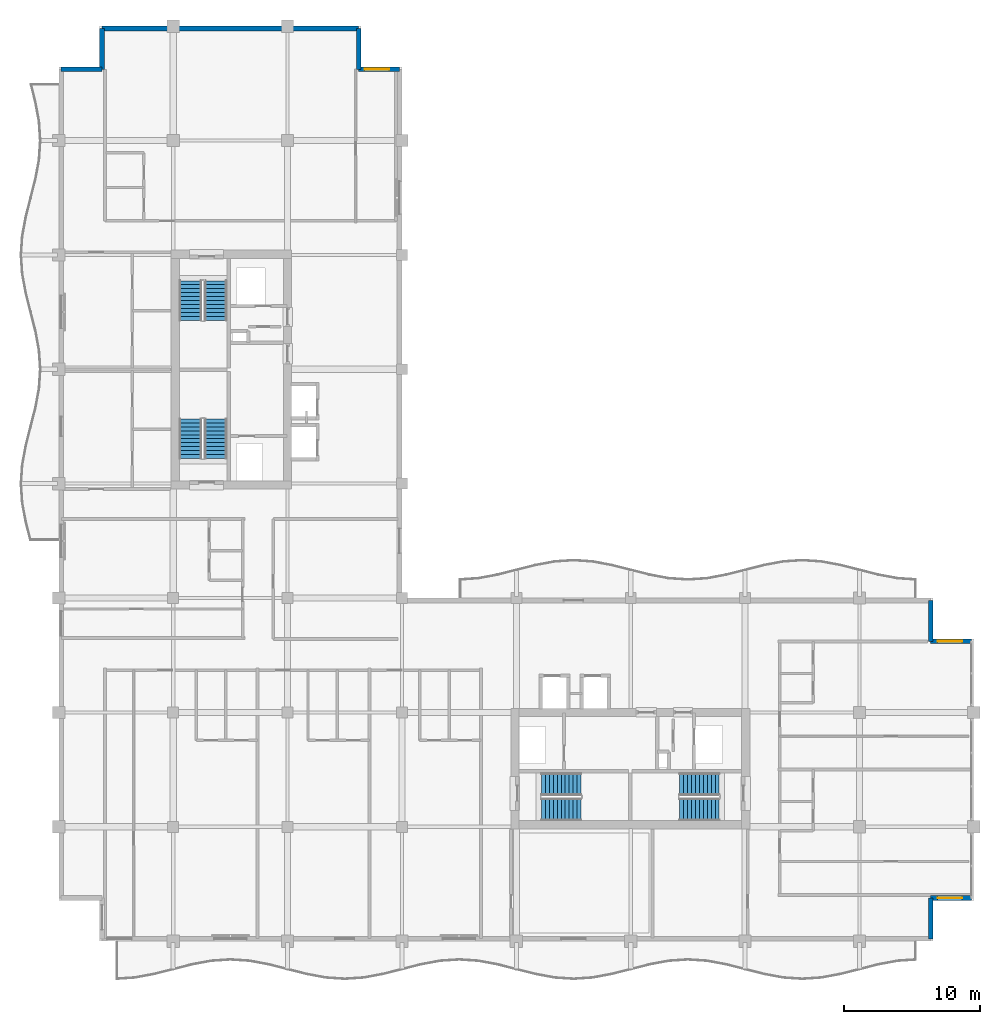
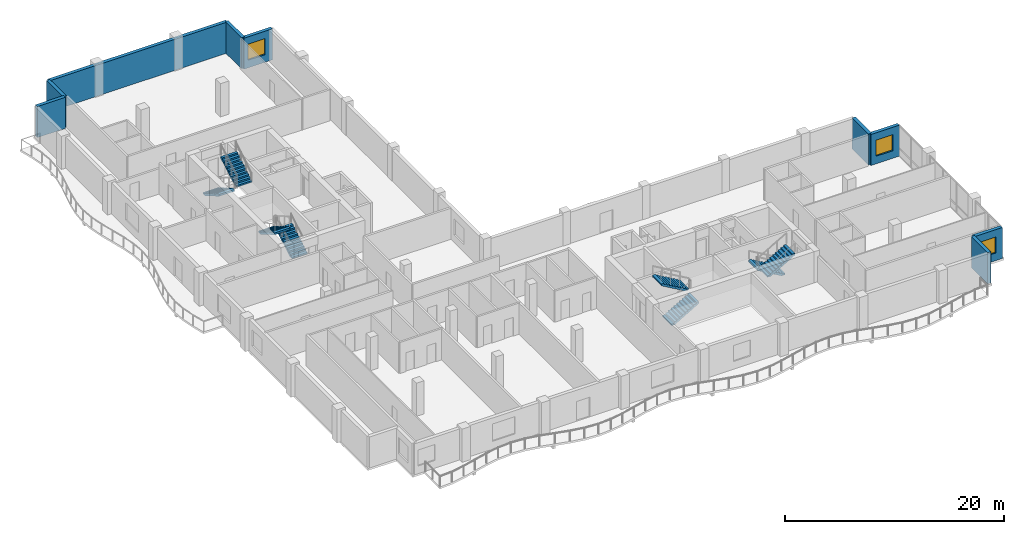
# One storey, part 11 of 16: 9 walls, 8 stair flights, 3 windows, 3 openings, 4 elements without a shape of their own.
"""IFC4 building model written with IfcOpenShell, lengths in metres."""

import ifcopenshell
import ifcopenshell.guid

model = None  # the IFC model being written
_history = None  # IfcOwnerHistory: only IFC2X3 demands one
_inside = {}  # id of a spatial element -> (the spatial element, [elements in it])
_under = {}  # id of a project, library or spatial element -> (it, [spatial elements below it])
_declared = {}  # id of a project -> (the project, [libraries it declares])
_typed = {}  # id of a type object -> (the type object, [elements of that type])
_made_of = {}  # id of a material, layer set ... -> (it, [elements and type objects made of it])


def new_model(schema):
    """Start an empty IFC model of exactly this schema.

    Asked for "IFC4X3", IfcOpenShell would pick the latest addendum, in which some entities
    have other attributes; the version numbers below select the first issue.
    IFC2X3 requires an IfcOwnerHistory on every rooted entity: one is made here for all.
    """
    global model, _history
    if schema == "IFC4X3":
        model = ifcopenshell.file(schema_version=(4, 3, 0, 0))
    else:
        model = ifcopenshell.file(schema=schema)
    _inside.clear()
    _under.clear()
    _declared.clear()
    _typed.clear()
    _made_of.clear()
    _history = None
    if model.schema == "IFC2X3":
        org = make("IfcOrganization", Name="unknown")
        user = make(
            "IfcPersonAndOrganization",
            ThePerson=make("IfcPerson", FamilyName="unknown"),
            TheOrganization=org,
        )
        app = make(
            "IfcApplication",
            ApplicationDeveloper=org,
            Version="unknown",
            ApplicationFullName="unknown",
            ApplicationIdentifier="unknown",
        )
        _history = make(
            "IfcOwnerHistory",
            OwningUser=user,
            OwningApplication=app,
            ChangeAction="ADDED",
            CreationDate=0,
        )
    return model


def make(cls, **values):
    """One entity of the class cls with the attributes given. An attribute that is None is left unset."""
    return model.create_entity(
        cls, **{name: value for name, value in values.items() if value is not None}
    )


def rooted(cls, **values):
    """An entity with a GlobalId (a new one), such as an element, a storey or a relation."""
    return make(cls, GlobalId=ifcopenshell.guid.new(), OwnerHistory=_history, **values)


def si_unit(unit_type, name, prefix=None):
    """IfcSIUnit, for example si_unit("LENGTHUNIT", "METRE", prefix="MILLI")."""
    return make("IfcSIUnit", UnitType=unit_type, Prefix=prefix, Name=name)


def assignment(units):
    """IfcUnitAssignment: the units of a project."""
    return None if units is None else make("IfcUnitAssignment", Units=units)


def point(xyz):
    """IfcCartesianPoint."""
    return None if xyz is None else make("IfcCartesianPoint", Coordinates=xyz)


def direction(xyz):
    """IfcDirection."""
    return None if xyz is None else make("IfcDirection", DirectionRatios=xyz)


def frame(location, z_axis=None, x_axis=None):
    """IfcAxis2Placement3D, a coordinate frame: its origin and axes. An axis left out is left unset."""
    return make(
        "IfcAxis2Placement3D",
        Location=point(location),
        Axis=direction(z_axis),
        RefDirection=direction(x_axis),
    )


def frame_2d(location, x_axis=None):
    """IfcAxis2Placement2D, a coordinate frame in the plane: its origin and x axis."""
    return make(
        "IfcAxis2Placement2D", Location=point(location), RefDirection=direction(x_axis)
    )


def origin():
    """The frame at (0, 0, 0) with its axes left unset."""
    return frame((0.0, 0.0, 0.0))


def place(relative_to, where):
    """IfcLocalPlacement: puts the frame where relative to a parent placement (None: the world)."""
    return make(
        "IfcLocalPlacement", PlacementRelTo=relative_to, RelativePlacement=where
    )


def context(
    kind, dimensions, precision=None, world=None, true_north=None, identifier=None
):
    """IfcGeometricRepresentationContext, for example the 3D "Model" context."""
    return make(
        "IfcGeometricRepresentationContext",
        ContextIdentifier=identifier,
        ContextType=kind,
        CoordinateSpaceDimension=dimensions,
        Precision=precision,
        WorldCoordinateSystem=world,
        TrueNorth=true_north,
    )


def subcontext(parent, identifier, kind, view, scale=None):
    """IfcGeometricRepresentationSubContext, for example "Body" below "Model"."""
    return make(
        "IfcGeometricRepresentationSubContext",
        ContextIdentifier=identifier,
        ContextType=kind,
        ParentContext=parent,
        TargetScale=scale,
        TargetView=view,
    )


def project(units=None, contexts=None):
    """IfcProject with its units and contexts."""
    return rooted(
        "IfcProject",
        Name="project",
        RepresentationContexts=contexts,
        UnitsInContext=assignment(units),
    )


def spatial(cls, under=None, at=None, **own):
    """A site, building, storey or space (cls), placed at a placement, below another one or the project."""
    s = rooted(cls, ObjectPlacement=at, **own)
    if under is not None:
        _under.setdefault(under.id(), (under, []))[1].append(s)
    return s


def polyline(points):
    """IfcPolyline through the points."""
    return make("IfcPolyline", Points=[point(p) for p in points])


def profile(cls, at=None, kind="AREA", **sizes):
    """A parametric profile (cls). Its sizes go by their IFC names, for example OverallWidth=200.0."""
    return make(cls, ProfileType=kind, Position=at, **sizes)


def rectangle(**sizes):
    """IfcRectangleProfileDef."""
    return profile("IfcRectangleProfileDef", **sizes)


def outline(outer, holes=None, kind="AREA"):
    """IfcArbitraryClosedProfileDef: a profile drawn as a closed curve; with holes, ...WithVoids."""
    if holes is None:
        return make("IfcArbitraryClosedProfileDef", ProfileType=kind, OuterCurve=outer)
    return make(
        "IfcArbitraryProfileDefWithVoids",
        ProfileType=kind,
        OuterCurve=outer,
        InnerCurves=holes,
    )


def extrude(swept, where, along, depth):
    """IfcExtrudedAreaSolid: the profile swept, set in the frame where, extruded along a direction by depth."""
    return make(
        "IfcExtrudedAreaSolid",
        SweptArea=swept,
        Position=where,
        ExtrudedDirection=direction(along),
        Depth=depth,
    )


def shape(context_of_items, identifier, shape_type, items):
    """IfcShapeRepresentation: the items that make up one representation, for example the "Body"."""
    return make(
        "IfcShapeRepresentation",
        ContextOfItems=context_of_items,
        RepresentationIdentifier=identifier,
        RepresentationType=shape_type,
        Items=items,
    )


def material(Name=None, Category=None):
    """IfcMaterial."""
    return make("IfcMaterial", Name=Name, Category=Category)


def layer(
    of_material, thickness, ventilated=None, Name=None, Category=None, Priority=None
):
    """IfcMaterialLayer: one layer of a wall or slab, of a material (None: an air gap)."""
    return make(
        "IfcMaterialLayer",
        Material=of_material,
        LayerThickness=thickness,
        IsVentilated=ventilated,
        Name=Name,
        Category=Category,
        Priority=Priority,
    )


def layer_set(layers, Name=None):
    """IfcMaterialLayerSet."""
    return make("IfcMaterialLayerSet", MaterialLayers=layers, LayerSetName=Name)


def made_of(thing, what):
    """Note that an element or type object is made of a material, layer set ...; save() writes the relation."""
    if what is not None:
        _made_of.setdefault(what.id(), (what, []))[1].append(thing)
    return thing


def type_object(cls, material=None, **own):
    """A type object (cls), such as IfcWallType, which elements share."""
    return made_of(rooted(cls, **own), material)


def element(
    cls,
    number,
    at=None,
    inside=None,
    cuts=None,
    type_object=None,
    material=None,
    context=None,
    identifier="Body",
    shape_type=None,
    held_by="IfcProductDefinitionShape",
    body=None,
    shapes=None,
    **own,
):
    """One element of the class cls, such as IfcWall. Its Tag is "e" and its number.

    at: its placement. inside: the storey or other place that contains it. cuts: it is an
    opening in that element (IfcRelVoidsElement). A single representation is given by context,
    identifier, shape_type and body (its items); several are given by shapes. held_by: the class
    of the entity that holds the representations. save() writes the other relations.
    """
    e = rooted(cls, Tag="e%d" % number, ObjectPlacement=at, **own)
    if body is not None:
        shapes = [shape(context, identifier, shape_type, body)]
    if shapes is not None:
        e.Representation = make(held_by, Representations=shapes)
    if inside is not None:
        _inside.setdefault(inside.id(), (inside, []))[1].append(e)
    if cuts is not None:
        rooted(
            "IfcRelVoidsElement", RelatingBuildingElement=cuts, RelatedOpeningElement=e
        )
    if type_object is not None:
        _typed.setdefault(type_object.id(), (type_object, []))[1].append(e)
    return made_of(e, material)


def fill(opening, filler):
    """IfcRelFillsElement: the door or window that sits in an opening."""
    return rooted(
        "IfcRelFillsElement",
        RelatingOpeningElement=opening,
        RelatedBuildingElement=filler,
    )


def aggregate(whole, parts):
    """IfcRelAggregates: a whole, such as a stair, and the parts it consists of."""
    return rooted("IfcRelAggregates", RelatingObject=whole, RelatedObjects=parts)


def save(model, path):
    """Write the relations noted so far, then the file.

    IfcRelAggregates (storeys below a building ...), IfcRelContainedInSpatialStructure (elements
    in a storey), IfcRelDefinesByType, IfcRelAssociatesMaterial and IfcRelDeclares: one each for
    every whole, place, type object, material and project.
    """
    for whole, parts in _under.values():
        aggregate(whole, parts)
    for where, things in _inside.values():
        rooted(
            "IfcRelContainedInSpatialStructure",
            RelatedElements=things,
            RelatingStructure=where,
        )
    for kind, things in _typed.values():
        rooted("IfcRelDefinesByType", RelatedObjects=things, RelatingType=kind)
    for what, things in _made_of.values():
        rooted("IfcRelAssociatesMaterial", RelatedObjects=things, RelatingMaterial=what)
    for by, libraries in _declared.values():
        rooted("IfcRelDeclares", RelatingContext=by, RelatedDefinitions=libraries)
    model.write(path)


model = new_model("IFC4")

# Units and contexts
model_context = context("Model", 3, precision=1e-05, world=origin(), true_north=direction((0.0, 1.0)))
body_context = subcontext(model_context, "Body", "Model", "MODEL_VIEW")
ifc_project = project(units=[si_unit("LENGTHUNIT", "METRE"), si_unit("AREAUNIT", "SQUARE_METRE"), si_unit("VOLUMEUNIT", "CUBIC_METRE"), si_unit("PLANEANGLEUNIT", "RADIAN"), si_unit("MASSUNIT", "GRAM", prefix="KILO")], contexts=[model_context])

# Site, building, storey
site_placement = place(None, origin())
site = spatial("IfcSite", under=ifc_project, at=site_placement, CompositionType="ELEMENT")
building_placement = place(site_placement, origin())
building = spatial("IfcBuilding", under=site, at=building_placement, Name="Koriwani Terraces Tower", CompositionType="ELEMENT")
storey_placement = place(building_placement, frame((0.0, 0.0, 245.300048828125)))
storey = spatial("IfcBuildingStorey", under=building, at=storey_placement, Name="L60", CompositionType="ELEMENT", Elevation=245.300048828125)

# Walls
ifc_material_1 = material(Name="Concrete C50/60", Category="concrete")
ifc_layer = layer(ifc_material_1, 0.35009765625, Name="Concrete C50/60")
ifc_layer_set = layer_set([ifc_layer], Name="Concrete C50/60")
wall_type = type_object("IfcWallType", Name="WALL_EXT_BRUTALIST_350", PredefinedType="STANDARD", material=ifc_layer_set)
for number, where, z_axis, x_axis, name in (
    (1, (8.574951171875, 72.425048828125, 0.0), (0.0, 0.0, 1.0), (1.0, 0.0, 0.0), "L60 Fair-Faced Brutalist Exterior Wall (N3)"),
    (2, (11.574951171875, 72.425048828125, 0.0), (0.0, 0.0, 1.0), (0.0, 1.0, 0.0), "L60 Fair-Faced Brutalist Exterior Wall (N4)"),
):
    element("IfcWall", number, at=place(storey_placement, frame(where, z_axis=z_axis, x_axis=x_axis)), inside=storey, type_object=wall_type, Name=name, PredefinedType="STANDARD", context=body_context, shape_type="SweptSolid", body=[
        extrude(rectangle(XDim=3.0, YDim=0.35009765625, at=frame_2d((1.5, 0.0))), origin(), (0.0, 0.0, 1.0), 3.469970703125),
    ])
wall_1_placement = place(storey_placement, frame((11.574951171875, 75.425048828125, 0.0), z_axis=(0.0, 0.0, 1.0), x_axis=(1.0, 0.0, 0.0)))
element("IfcWall", 3, at=wall_1_placement, inside=storey, type_object=wall_type, Name="L60 Fair-Faced Brutalist Exterior Wall (N_TIP)", PredefinedType="STANDARD", context=body_context, shape_type="SweptSolid", body=[
    extrude(rectangle(XDim=18.85009765625, YDim=0.35009765625, at=frame_2d((9.425048828125, 0.0))), origin(), (0.0, 0.0, 1.0), 3.469970703125),
])
wall_2_placement = place(storey_placement, frame((30.425048828125, 75.425048828125, 0.0), z_axis=(0.0, 0.0, 1.0), x_axis=(0.0, -1.0, 0.0)))
element("IfcWall", 4, at=wall_2_placement, inside=storey, type_object=wall_type, Name="L60 Fair-Faced Brutalist Exterior Wall (N6)", PredefinedType="STANDARD", context=body_context, shape_type="SweptSolid", body=[
    extrude(rectangle(XDim=3.0, YDim=0.35009765625, at=frame_2d((1.5, 0.0))), origin(), (0.0, 0.0, 1.0), 3.469970703125),
])

# Wall, opening, window
wall_3_placement = place(storey_placement, frame((30.425048828125, 72.425048828125, 0.0), z_axis=(0.0, 0.0, 1.0), x_axis=(1.0, 0.0, 0.0)))
wall_3 = element("IfcWall", 5, at=wall_3_placement, inside=storey, type_object=wall_type, Name="L60 Fair-Faced Brutalist Exterior Wall (N7)", PredefinedType="STANDARD", context=body_context, shape_type="SweptSolid", body=[
    extrude(rectangle(XDim=3.0, YDim=0.35009765625, at=frame_2d((1.5, 0.0))), origin(), (0.0, 0.0, 1.0), 3.469970703125),
])
opening_1_placement = place(wall_3_placement, frame((0.4375, 0.0, 0.85009765625)))
opening_1 = element("IfcOpeningElement", 6, at=opening_1_placement, cuts=wall_3, Name="Opening W-04", PredefinedType="OPENING", context=body_context, shape_type="SweptSolid", body=[
    extrude(rectangle(XDim=1.800048828125, YDim=1.800048828125, at=frame_2d((0.89990234375, 0.89990234375))), frame((0.0, 0.18505859375, 0.0), z_axis=(0.0, -1.0, 0.0), x_axis=(1.0, 0.0, 0.0)), (0.0, 0.0, 1.0), 0.3701171875),
])
ifc_material_2 = material(Name="Tempered Laminated Low-E Glass", Category="glass")
window_type = type_object("IfcWindowType", Name="WIN_RES_BED_1800X1800", PartitioningType="DOUBLE_PANEL_VERTICAL", PredefinedType="WINDOW", material=ifc_material_2)
window_1_placement = place(opening_1_placement, origin())
window_1 = element("IfcWindow", 7, at=window_1_placement, inside=storey, type_object=window_type, Name="L60 Exterior Window (N7-R46)", OverallHeight=1.800048828125, OverallWidth=1.800048828125, PartitioningType="SINGLE_PANEL", PredefinedType="WINDOW", context=body_context, shape_type="SweptSolid", body=[
    extrude(rectangle(XDim=1.800048828125, YDim=1.800048828125, at=frame_2d((0.89990234375, 0.89990234375))), frame((0.0, 0.030029296875, 0.0), z_axis=(0.0, -1.0, 0.0), x_axis=(1.0, 0.0, 0.0)), (0.0, 0.0, 1.0), 0.06005859375),
])
fill(opening_1, window_1)

# Wall
wall_4_placement = place(storey_placement, frame((72.425048828125, 33.425048828125, 0.0), z_axis=(0.0, 0.0, 1.0), x_axis=(0.0, -1.0, 0.0)))
element("IfcWall", 8, at=wall_4_placement, inside=storey, type_object=wall_type, Name="L60 Fair-Faced Brutalist Exterior Wall (N10)", PredefinedType="STANDARD", context=body_context, shape_type="SweptSolid", body=[
    extrude(rectangle(XDim=3.0, YDim=0.35009765625, at=frame_2d((1.5, 0.0))), origin(), (0.0, 0.0, 1.0), 3.469970703125),
])

# Wall, opening, window
wall_5_placement = place(storey_placement, frame((72.425048828125, 30.425048828125, 0.0), z_axis=(0.0, 0.0, 1.0), x_axis=(1.0, 0.0, 0.0)))
wall_5 = element("IfcWall", 9, at=wall_5_placement, inside=storey, type_object=wall_type, Name="L60 Fair-Faced Brutalist Exterior Wall (N11)", PredefinedType="STANDARD", context=body_context, shape_type="SweptSolid", body=[
    extrude(rectangle(XDim=3.0, YDim=0.35009765625, at=frame_2d((1.5, 0.0))), origin(), (0.0, 0.0, 1.0), 3.469970703125),
])
opening_2_placement = place(wall_5_placement, frame((0.507568359375, 0.0, 0.85009765625)))
opening_2 = element("IfcOpeningElement", 10, at=opening_2_placement, cuts=wall_5, Name="Opening W-04", PredefinedType="OPENING", context=body_context, shape_type="SweptSolid", body=[
    extrude(rectangle(XDim=1.800048828125, YDim=1.800048828125, at=frame_2d((0.89990234375, 0.89990234375))), frame((0.0, 0.18505859375, 0.0), z_axis=(0.0, -1.0, 0.0), x_axis=(1.0, 0.0, 0.0)), (0.0, 0.0, 1.0), 0.3701171875),
])
window_2_placement = place(opening_2_placement, origin())
window_2 = element("IfcWindow", 11, at=window_2_placement, inside=storey, type_object=window_type, Name="L60 Exterior Window (N11-R55)", OverallHeight=1.800048828125, OverallWidth=1.800048828125, PartitioningType="SINGLE_PANEL", PredefinedType="WINDOW", context=body_context, shape_type="SweptSolid", body=[
    extrude(rectangle(XDim=1.800048828125, YDim=1.800048828125, at=frame_2d((0.89990234375, 0.89990234375))), frame((0.0, 0.030029296875, 0.0), z_axis=(0.0, -1.0, 0.0), x_axis=(1.0, 0.0, 0.0)), (0.0, 0.0, 1.0), 0.06005859375),
])
fill(opening_2, window_2)

wall_6_placement = place(storey_placement, frame((75.425048828125, 11.574951171875, 0.0), z_axis=(0.0, 0.0, 1.0), x_axis=(-1.0, 0.0, 0.0)))
wall_6 = element("IfcWall", 12, at=wall_6_placement, inside=storey, type_object=wall_type, Name="L60 Fair-Faced Brutalist Exterior Wall (N13)", PredefinedType="STANDARD", context=body_context, shape_type="SweptSolid", body=[
    extrude(rectangle(XDim=3.0, YDim=0.35009765625, at=frame_2d((1.5, 0.0))), origin(), (0.0, 0.0, 1.0), 3.469970703125),
])
opening_3_placement = place(wall_6_placement, frame((0.6923828125, 0.0, 0.85009765625)))
opening_3 = element("IfcOpeningElement", 13, at=opening_3_placement, cuts=wall_6, Name="Opening W-04", PredefinedType="OPENING", context=body_context, shape_type="SweptSolid", body=[
    extrude(rectangle(XDim=1.800048828125, YDim=1.800048828125, at=frame_2d((0.89990234375, 0.89990234375))), frame((0.0, 0.18505859375, 0.0), z_axis=(0.0, -1.0, 0.0), x_axis=(1.0, 0.0, 0.0)), (0.0, 0.0, 1.0), 0.3701171875),
])
window_3_placement = place(opening_3_placement, origin())
window_3 = element("IfcWindow", 14, at=window_3_placement, inside=storey, type_object=window_type, Name="L60 Exterior Window (N13-R50)", OverallHeight=1.800048828125, OverallWidth=1.800048828125, PartitioningType="SINGLE_PANEL", PredefinedType="WINDOW", context=body_context, shape_type="SweptSolid", body=[
    extrude(rectangle(XDim=1.800048828125, YDim=1.800048828125, at=frame_2d((0.89990234375, 0.89990234375))), frame((0.0, 0.030029296875, 0.0), z_axis=(0.0, -1.0, 0.0), x_axis=(1.0, 0.0, 0.0)), (0.0, 0.0, 1.0), 0.06005859375),
])
fill(opening_3, window_3)

# Wall
wall_7_placement = place(storey_placement, frame((72.425048828125, 11.574951171875, 0.0), z_axis=(0.0, 0.0, 1.0), x_axis=(0.0, -1.0, 0.0)))
element("IfcWall", 15, at=wall_7_placement, inside=storey, type_object=wall_type, Name="L60 Fair-Faced Brutalist Exterior Wall (N14)", PredefinedType="STANDARD", context=body_context, shape_type="SweptSolid", body=[
    extrude(rectangle(XDim=3.0, YDim=0.35009765625, at=frame_2d((1.5, 0.0))), origin(), (0.0, 0.0, 1.0), 3.469970703125),
])

# Stair, stair flights
ifc_material_3 = material(Name="Concrete C40/50", Category="concrete")
stair_type = type_object("IfcStairType", Name="STAIR_CORE_DOGLEG_1650", PredefinedType="TWO_STRAIGHT_RUN_STAIR", material=ifc_material_3)
stair_1_placement = place(storey_placement, origin())
stair_1 = element("IfcStair", 16, at=stair_1_placement, inside=storey, type_object=stair_type, Name="L60 West Core Exit Stair 1", PredefinedType="HALF_TURN_STAIR")
stair_flight_type = type_object("IfcStairFlightType", Name="STAIR_FLIGHT_RC_1650", PredefinedType="STRAIGHT", material=ifc_material_3)
stair_flight_1_placement = place(storey_placement, frame((19.925048828125, 43.85009765625, 0.0), z_axis=(0.0, 0.0, 1.0), x_axis=(0.0, 1.0, 0.0)))
stair_flight_1 = element("IfcStairFlight", 17, at=stair_flight_1_placement, type_object=stair_flight_type, Name="ST-W1 flight 1", NumberOfRisers=11, NumberOfTreads=10, PredefinedType="STRAIGHT", RiserHeight=0.168181818, TreadLength=0.29, context=body_context, shape_type="SweptSolid", body=[
    extrude(outline(polyline([(0.0, 0.0), (0.0, 0.168212890625), (0.2900390625, 0.168212890625), (0.2900390625, 0.33642578125), (0.580078125, 0.33642578125), (0.580078125, 0.504638671875), (0.8701171875, 0.504638671875), (0.8701171875, 0.672607421875), (1.159912109375, 0.672607421875), (1.159912109375, 0.8408203125), (1.449951171875, 0.8408203125), (1.449951171875, 1.009033203125), (1.739990234375, 1.009033203125), (1.739990234375, 1.17724609375), (2.030029296875, 1.17724609375), (2.030029296875, 1.345458984375), (2.320068359375, 1.345458984375), (2.320068359375, 1.513671875), (2.610107421875, 1.513671875), (2.610107421875, 1.681884765625), (2.89990234375, 1.681884765625), (2.89990234375, 1.85009765625), (2.89990234375, 1.473876953125), (0.358642578125, 0.0), (0.0, 0.0)])), frame((0.0, 0.824951171875, 0.0), z_axis=(0.0, -1.0, 0.0), x_axis=(1.0, 0.0, 0.0)), (0.0, 0.0, 1.0), 1.64990234375),
])
stair_flight_2_placement = place(storey_placement, frame((18.074951171875, 46.75, 1.849853515625), z_axis=(0.0, 0.0, 1.0), x_axis=(0.0, -1.0, 0.0)))
stair_flight_2 = element("IfcStairFlight", 18, at=stair_flight_2_placement, type_object=stair_flight_type, Name="ST-W1 flight 2", NumberOfRisers=11, NumberOfTreads=10, PredefinedType="STRAIGHT", RiserHeight=0.168181818, TreadLength=0.29, context=body_context, shape_type="SweptSolid", body=[
    extrude(outline(polyline([(0.0, 0.0), (0.0, 0.168212890625), (0.2900390625, 0.168212890625), (0.2900390625, 0.33642578125), (0.580078125, 0.33642578125), (0.580078125, 0.504638671875), (0.8701171875, 0.504638671875), (0.8701171875, 0.672607421875), (1.159912109375, 0.672607421875), (1.159912109375, 0.8408203125), (1.449951171875, 0.8408203125), (1.449951171875, 1.009033203125), (1.739990234375, 1.009033203125), (1.739990234375, 1.17724609375), (2.030029296875, 1.17724609375), (2.030029296875, 1.345458984375), (2.320068359375, 1.345458984375), (2.320068359375, 1.513671875), (2.610107421875, 1.513671875), (2.610107421875, 1.681884765625), (2.89990234375, 1.681884765625), (2.89990234375, 1.85009765625), (2.89990234375, 1.473876953125), (0.358642578125, 0.0), (0.0, 0.0)])), frame((0.0, 0.824951171875, 0.0), z_axis=(0.0, -1.0, 0.0), x_axis=(1.0, 0.0, 0.0)), (0.0, 0.0, 1.0), 1.64990234375),
])
aggregate(stair_1, [stair_flight_1, stair_flight_2])

stair_2_placement = place(storey_placement, origin())
stair_2 = element("IfcStair", 19, at=stair_2_placement, inside=storey, type_object=stair_type, Name="L60 West Core Exit Stair 2", PredefinedType="HALF_TURN_STAIR")
stair_flight_3_placement = place(storey_placement, frame((18.074951171875, 56.89990234375, 0.0), z_axis=(0.0, 0.0, 1.0), x_axis=(0.0, -1.0, 0.0)))
stair_flight_3 = element("IfcStairFlight", 20, at=stair_flight_3_placement, type_object=stair_flight_type, Name="ST-W2 flight 1", NumberOfRisers=11, NumberOfTreads=10, PredefinedType="STRAIGHT", RiserHeight=0.168181818, TreadLength=0.29, context=body_context, shape_type="SweptSolid", body=[
    extrude(outline(polyline([(0.0, 0.0), (0.0, 0.168212890625), (0.2900390625, 0.168212890625), (0.2900390625, 0.33642578125), (0.580078125, 0.33642578125), (0.580078125, 0.504638671875), (0.8701171875, 0.504638671875), (0.8701171875, 0.672607421875), (1.159912109375, 0.672607421875), (1.159912109375, 0.8408203125), (1.449951171875, 0.8408203125), (1.449951171875, 1.009033203125), (1.739990234375, 1.009033203125), (1.739990234375, 1.17724609375), (2.030029296875, 1.17724609375), (2.030029296875, 1.345458984375), (2.320068359375, 1.345458984375), (2.320068359375, 1.513671875), (2.610107421875, 1.513671875), (2.610107421875, 1.681884765625), (2.89990234375, 1.681884765625), (2.89990234375, 1.85009765625), (2.89990234375, 1.473876953125), (0.358642578125, 0.0), (0.0, 0.0)])), frame((0.0, 0.824951171875, 0.0), z_axis=(0.0, -1.0, 0.0), x_axis=(1.0, 0.0, 0.0)), (0.0, 0.0, 1.0), 1.64990234375),
])
stair_flight_4_placement = place(storey_placement, frame((19.925048828125, 54.0, 1.849853515625), z_axis=(0.0, 0.0, 1.0), x_axis=(0.0, 1.0, 0.0)))
stair_flight_4 = element("IfcStairFlight", 21, at=stair_flight_4_placement, type_object=stair_flight_type, Name="ST-W2 flight 2", NumberOfRisers=11, NumberOfTreads=10, PredefinedType="STRAIGHT", RiserHeight=0.168181818, TreadLength=0.29, context=body_context, shape_type="SweptSolid", body=[
    extrude(outline(polyline([(0.0, 0.0), (0.0, 0.168212890625), (0.2900390625, 0.168212890625), (0.2900390625, 0.33642578125), (0.580078125, 0.33642578125), (0.580078125, 0.504638671875), (0.8701171875, 0.504638671875), (0.8701171875, 0.672607421875), (1.159912109375, 0.672607421875), (1.159912109375, 0.8408203125), (1.449951171875, 0.8408203125), (1.449951171875, 1.009033203125), (1.739990234375, 1.009033203125), (1.739990234375, 1.17724609375), (2.030029296875, 1.17724609375), (2.030029296875, 1.345458984375), (2.320068359375, 1.345458984375), (2.320068359375, 1.513671875), (2.610107421875, 1.513671875), (2.610107421875, 1.681884765625), (2.89990234375, 1.681884765625), (2.89990234375, 1.85009765625), (2.89990234375, 1.473876953125), (0.358642578125, 0.0), (0.0, 0.0)])), frame((0.0, 0.824951171875, 0.0), z_axis=(0.0, -1.0, 0.0), x_axis=(1.0, 0.0, 0.0)), (0.0, 0.0, 1.0), 1.64990234375),
])
aggregate(stair_2, [stair_flight_3, stair_flight_4])

stair_3_placement = place(storey_placement, origin())
stair_3 = element("IfcStair", 22, at=stair_3_placement, inside=storey, type_object=stair_type, Name="L60 East Core Exit Stair 1", PredefinedType="HALF_TURN_STAIR")
stair_flight_5_placement = place(storey_placement, frame((43.85009765625, 18.074951171875, 0.0), z_axis=(0.0, 0.0, 1.0), x_axis=(1.0, 0.0, 0.0)))
stair_flight_5 = element("IfcStairFlight", 23, at=stair_flight_5_placement, type_object=stair_flight_type, Name="ST-E1 flight 1", NumberOfRisers=11, NumberOfTreads=10, PredefinedType="STRAIGHT", RiserHeight=0.168181818, TreadLength=0.29, context=body_context, shape_type="SweptSolid", body=[
    extrude(outline(polyline([(0.0, 0.0), (0.0, 0.168212890625), (0.2900390625, 0.168212890625), (0.2900390625, 0.33642578125), (0.580078125, 0.33642578125), (0.580078125, 0.504638671875), (0.8701171875, 0.504638671875), (0.8701171875, 0.672607421875), (1.159912109375, 0.672607421875), (1.159912109375, 0.8408203125), (1.449951171875, 0.8408203125), (1.449951171875, 1.009033203125), (1.739990234375, 1.009033203125), (1.739990234375, 1.17724609375), (2.030029296875, 1.17724609375), (2.030029296875, 1.345458984375), (2.320068359375, 1.345458984375), (2.320068359375, 1.513671875), (2.610107421875, 1.513671875), (2.610107421875, 1.681884765625), (2.89990234375, 1.681884765625), (2.89990234375, 1.85009765625), (2.89990234375, 1.473876953125), (0.358642578125, 0.0), (0.0, 0.0)])), frame((0.0, 0.824951171875, 0.0), z_axis=(0.0, -1.0, 0.0), x_axis=(1.0, 0.0, 0.0)), (0.0, 0.0, 1.0), 1.64990234375),
])
stair_flight_6_placement = place(storey_placement, frame((46.75, 19.925048828125, 1.849853515625), z_axis=(0.0, 0.0, 1.0), x_axis=(-1.0, 0.0, 0.0)))
stair_flight_6 = element("IfcStairFlight", 24, at=stair_flight_6_placement, type_object=stair_flight_type, Name="ST-E1 flight 2", NumberOfRisers=11, NumberOfTreads=10, PredefinedType="STRAIGHT", RiserHeight=0.168181818, TreadLength=0.29, context=body_context, shape_type="SweptSolid", body=[
    extrude(outline(polyline([(0.0, 0.0), (0.0, 0.168212890625), (0.2900390625, 0.168212890625), (0.2900390625, 0.33642578125), (0.580078125, 0.33642578125), (0.580078125, 0.504638671875), (0.8701171875, 0.504638671875), (0.8701171875, 0.672607421875), (1.159912109375, 0.672607421875), (1.159912109375, 0.8408203125), (1.449951171875, 0.8408203125), (1.449951171875, 1.009033203125), (1.739990234375, 1.009033203125), (1.739990234375, 1.17724609375), (2.030029296875, 1.17724609375), (2.030029296875, 1.345458984375), (2.320068359375, 1.345458984375), (2.320068359375, 1.513671875), (2.610107421875, 1.513671875), (2.610107421875, 1.681884765625), (2.89990234375, 1.681884765625), (2.89990234375, 1.85009765625), (2.89990234375, 1.473876953125), (0.358642578125, 0.0), (0.0, 0.0)])), frame((0.0, 0.824951171875, 0.0), z_axis=(0.0, -1.0, 0.0), x_axis=(1.0, 0.0, 0.0)), (0.0, 0.0, 1.0), 1.64990234375),
])
aggregate(stair_3, [stair_flight_5, stair_flight_6])

stair_4_placement = place(storey_placement, origin())
stair_4 = element("IfcStair", 25, at=stair_4_placement, inside=storey, type_object=stair_type, Name="L60 East Core Exit Stair 2", PredefinedType="HALF_TURN_STAIR")
stair_flight_7_placement = place(storey_placement, frame((56.89990234375, 19.925048828125, 0.0), z_axis=(0.0, 0.0, 1.0), x_axis=(-1.0, 0.0, 0.0)))
stair_flight_7 = element("IfcStairFlight", 26, at=stair_flight_7_placement, type_object=stair_flight_type, Name="ST-E2 flight 1", NumberOfRisers=11, NumberOfTreads=10, PredefinedType="STRAIGHT", RiserHeight=0.168181818, TreadLength=0.29, context=body_context, shape_type="SweptSolid", body=[
    extrude(outline(polyline([(0.0, 0.0), (0.0, 0.168212890625), (0.2900390625, 0.168212890625), (0.2900390625, 0.33642578125), (0.580078125, 0.33642578125), (0.580078125, 0.504638671875), (0.8701171875, 0.504638671875), (0.8701171875, 0.672607421875), (1.159912109375, 0.672607421875), (1.159912109375, 0.8408203125), (1.449951171875, 0.8408203125), (1.449951171875, 1.009033203125), (1.739990234375, 1.009033203125), (1.739990234375, 1.17724609375), (2.030029296875, 1.17724609375), (2.030029296875, 1.345458984375), (2.320068359375, 1.345458984375), (2.320068359375, 1.513671875), (2.610107421875, 1.513671875), (2.610107421875, 1.681884765625), (2.89990234375, 1.681884765625), (2.89990234375, 1.85009765625), (2.89990234375, 1.473876953125), (0.358642578125, 0.0), (0.0, 0.0)])), frame((0.0, 0.824951171875, 0.0), z_axis=(0.0, -1.0, 0.0), x_axis=(1.0, 0.0, 0.0)), (0.0, 0.0, 1.0), 1.64990234375),
])
stair_flight_8_placement = place(storey_placement, frame((54.0, 18.074951171875, 1.849853515625), z_axis=(0.0, 0.0, 1.0), x_axis=(1.0, 0.0, 0.0)))
stair_flight_8 = element("IfcStairFlight", 27, at=stair_flight_8_placement, type_object=stair_flight_type, Name="ST-E2 flight 2", NumberOfRisers=11, NumberOfTreads=10, PredefinedType="STRAIGHT", RiserHeight=0.168181818, TreadLength=0.29, context=body_context, shape_type="SweptSolid", body=[
    extrude(outline(polyline([(0.0, 0.0), (0.0, 0.168212890625), (0.2900390625, 0.168212890625), (0.2900390625, 0.33642578125), (0.580078125, 0.33642578125), (0.580078125, 0.504638671875), (0.8701171875, 0.504638671875), (0.8701171875, 0.672607421875), (1.159912109375, 0.672607421875), (1.159912109375, 0.8408203125), (1.449951171875, 0.8408203125), (1.449951171875, 1.009033203125), (1.739990234375, 1.009033203125), (1.739990234375, 1.17724609375), (2.030029296875, 1.17724609375), (2.030029296875, 1.345458984375), (2.320068359375, 1.345458984375), (2.320068359375, 1.513671875), (2.610107421875, 1.513671875), (2.610107421875, 1.681884765625), (2.89990234375, 1.681884765625), (2.89990234375, 1.85009765625), (2.89990234375, 1.473876953125), (0.358642578125, 0.0), (0.0, 0.0)])), frame((0.0, 0.824951171875, 0.0), z_axis=(0.0, -1.0, 0.0), x_axis=(1.0, 0.0, 0.0)), (0.0, 0.0, 1.0), 1.64990234375),
])
aggregate(stair_4, [stair_flight_7, stair_flight_8])

save(model, "model.ifc")
